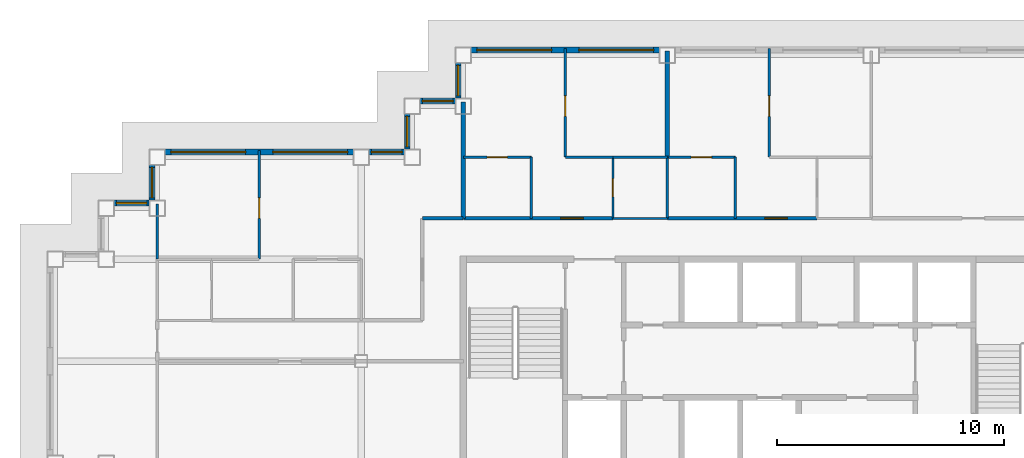
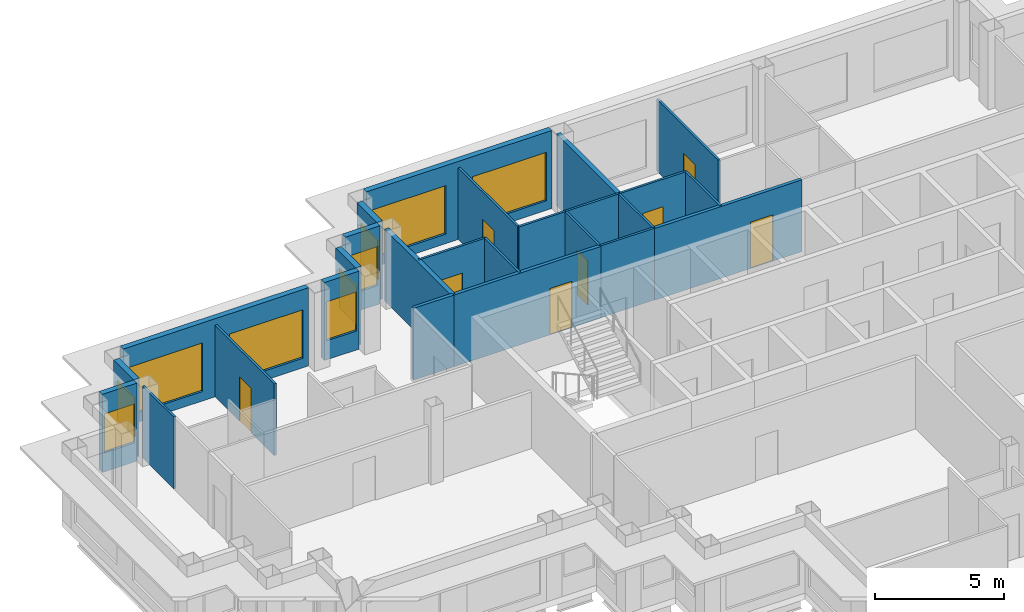
# One storey, part 6 of 11: 26 walls, 10 windows, 8 doors, 18 openings.
"""IFC4 building model written with IfcOpenShell, lengths in metres."""

import ifcopenshell
import ifcopenshell.guid

model = None  # the IFC model being written
_history = None  # IfcOwnerHistory: only IFC2X3 demands one
_inside = {}  # id of a spatial element -> (the spatial element, [elements in it])
_under = {}  # id of a project, library or spatial element -> (it, [spatial elements below it])
_declared = {}  # id of a project -> (the project, [libraries it declares])
_typed = {}  # id of a type object -> (the type object, [elements of that type])
_made_of = {}  # id of a material, layer set ... -> (it, [elements and type objects made of it])


def new_model(schema):
    """Start an empty IFC model of exactly this schema.

    Asked for "IFC4X3", IfcOpenShell would pick the latest addendum, in which some entities
    have other attributes; the version numbers below select the first issue.
    IFC2X3 requires an IfcOwnerHistory on every rooted entity: one is made here for all.
    """
    global model, _history
    if schema == "IFC4X3":
        model = ifcopenshell.file(schema_version=(4, 3, 0, 0))
    else:
        model = ifcopenshell.file(schema=schema)
    _inside.clear()
    _under.clear()
    _declared.clear()
    _typed.clear()
    _made_of.clear()
    _history = None
    if model.schema == "IFC2X3":
        org = make("IfcOrganization", Name="unknown")
        user = make(
            "IfcPersonAndOrganization",
            ThePerson=make("IfcPerson", FamilyName="unknown"),
            TheOrganization=org,
        )
        app = make(
            "IfcApplication",
            ApplicationDeveloper=org,
            Version="unknown",
            ApplicationFullName="unknown",
            ApplicationIdentifier="unknown",
        )
        _history = make(
            "IfcOwnerHistory",
            OwningUser=user,
            OwningApplication=app,
            ChangeAction="ADDED",
            CreationDate=0,
        )
    return model


def make(cls, **values):
    """One entity of the class cls with the attributes given. An attribute that is None is left unset."""
    return model.create_entity(
        cls, **{name: value for name, value in values.items() if value is not None}
    )


def rooted(cls, **values):
    """An entity with a GlobalId (a new one), such as an element, a storey or a relation."""
    return make(cls, GlobalId=ifcopenshell.guid.new(), OwnerHistory=_history, **values)


def si_unit(unit_type, name, prefix=None):
    """IfcSIUnit, for example si_unit("LENGTHUNIT", "METRE", prefix="MILLI")."""
    return make("IfcSIUnit", UnitType=unit_type, Prefix=prefix, Name=name)


def assignment(units):
    """IfcUnitAssignment: the units of a project."""
    return None if units is None else make("IfcUnitAssignment", Units=units)


def point(xyz):
    """IfcCartesianPoint."""
    return None if xyz is None else make("IfcCartesianPoint", Coordinates=xyz)


def direction(xyz):
    """IfcDirection."""
    return None if xyz is None else make("IfcDirection", DirectionRatios=xyz)


def frame(location, z_axis=None, x_axis=None):
    """IfcAxis2Placement3D, a coordinate frame: its origin and axes. An axis left out is left unset."""
    return make(
        "IfcAxis2Placement3D",
        Location=point(location),
        Axis=direction(z_axis),
        RefDirection=direction(x_axis),
    )


def frame_2d(location, x_axis=None):
    """IfcAxis2Placement2D, a coordinate frame in the plane: its origin and x axis."""
    return make(
        "IfcAxis2Placement2D", Location=point(location), RefDirection=direction(x_axis)
    )


def origin():
    """The frame at (0, 0, 0) with its axes left unset."""
    return frame((0.0, 0.0, 0.0))


def place(relative_to, where):
    """IfcLocalPlacement: puts the frame where relative to a parent placement (None: the world)."""
    return make(
        "IfcLocalPlacement", PlacementRelTo=relative_to, RelativePlacement=where
    )


def context(
    kind, dimensions, precision=None, world=None, true_north=None, identifier=None
):
    """IfcGeometricRepresentationContext, for example the 3D "Model" context."""
    return make(
        "IfcGeometricRepresentationContext",
        ContextIdentifier=identifier,
        ContextType=kind,
        CoordinateSpaceDimension=dimensions,
        Precision=precision,
        WorldCoordinateSystem=world,
        TrueNorth=true_north,
    )


def subcontext(parent, identifier, kind, view, scale=None):
    """IfcGeometricRepresentationSubContext, for example "Body" below "Model"."""
    return make(
        "IfcGeometricRepresentationSubContext",
        ContextIdentifier=identifier,
        ContextType=kind,
        ParentContext=parent,
        TargetScale=scale,
        TargetView=view,
    )


def project(units=None, contexts=None):
    """IfcProject with its units and contexts."""
    return rooted(
        "IfcProject",
        Name="project",
        RepresentationContexts=contexts,
        UnitsInContext=assignment(units),
    )


def spatial(cls, under=None, at=None, **own):
    """A site, building, storey or space (cls), placed at a placement, below another one or the project."""
    s = rooted(cls, ObjectPlacement=at, **own)
    if under is not None:
        _under.setdefault(under.id(), (under, []))[1].append(s)
    return s


def profile(cls, at=None, kind="AREA", **sizes):
    """A parametric profile (cls). Its sizes go by their IFC names, for example OverallWidth=200.0."""
    return make(cls, ProfileType=kind, Position=at, **sizes)


def rectangle(**sizes):
    """IfcRectangleProfileDef."""
    return profile("IfcRectangleProfileDef", **sizes)


def extrude(swept, where, along, depth):
    """IfcExtrudedAreaSolid: the profile swept, set in the frame where, extruded along a direction by depth."""
    return make(
        "IfcExtrudedAreaSolid",
        SweptArea=swept,
        Position=where,
        ExtrudedDirection=direction(along),
        Depth=depth,
    )


def shape(context_of_items, identifier, shape_type, items):
    """IfcShapeRepresentation: the items that make up one representation, for example the "Body"."""
    return make(
        "IfcShapeRepresentation",
        ContextOfItems=context_of_items,
        RepresentationIdentifier=identifier,
        RepresentationType=shape_type,
        Items=items,
    )


def material(Name=None, Category=None):
    """IfcMaterial."""
    return make("IfcMaterial", Name=Name, Category=Category)


def layer(
    of_material, thickness, ventilated=None, Name=None, Category=None, Priority=None
):
    """IfcMaterialLayer: one layer of a wall or slab, of a material (None: an air gap)."""
    return make(
        "IfcMaterialLayer",
        Material=of_material,
        LayerThickness=thickness,
        IsVentilated=ventilated,
        Name=Name,
        Category=Category,
        Priority=Priority,
    )


def layer_set(layers, Name=None):
    """IfcMaterialLayerSet."""
    return make("IfcMaterialLayerSet", MaterialLayers=layers, LayerSetName=Name)


def made_of(thing, what):
    """Note that an element or type object is made of a material, layer set ...; save() writes the relation."""
    if what is not None:
        _made_of.setdefault(what.id(), (what, []))[1].append(thing)
    return thing


def type_object(cls, material=None, **own):
    """A type object (cls), such as IfcWallType, which elements share."""
    return made_of(rooted(cls, **own), material)


def element(
    cls,
    number,
    at=None,
    inside=None,
    cuts=None,
    type_object=None,
    material=None,
    context=None,
    identifier="Body",
    shape_type=None,
    held_by="IfcProductDefinitionShape",
    body=None,
    shapes=None,
    **own,
):
    """One element of the class cls, such as IfcWall. Its Tag is "e" and its number.

    at: its placement. inside: the storey or other place that contains it. cuts: it is an
    opening in that element (IfcRelVoidsElement). A single representation is given by context,
    identifier, shape_type and body (its items); several are given by shapes. held_by: the class
    of the entity that holds the representations. save() writes the other relations.
    """
    e = rooted(cls, Tag="e%d" % number, ObjectPlacement=at, **own)
    if body is not None:
        shapes = [shape(context, identifier, shape_type, body)]
    if shapes is not None:
        e.Representation = make(held_by, Representations=shapes)
    if inside is not None:
        _inside.setdefault(inside.id(), (inside, []))[1].append(e)
    if cuts is not None:
        rooted(
            "IfcRelVoidsElement", RelatingBuildingElement=cuts, RelatedOpeningElement=e
        )
    if type_object is not None:
        _typed.setdefault(type_object.id(), (type_object, []))[1].append(e)
    return made_of(e, material)


def fill(opening, filler):
    """IfcRelFillsElement: the door or window that sits in an opening."""
    return rooted(
        "IfcRelFillsElement",
        RelatingOpeningElement=opening,
        RelatedBuildingElement=filler,
    )


def aggregate(whole, parts):
    """IfcRelAggregates: a whole, such as a stair, and the parts it consists of."""
    return rooted("IfcRelAggregates", RelatingObject=whole, RelatedObjects=parts)


def save(model, path):
    """Write the relations noted so far, then the file.

    IfcRelAggregates (storeys below a building ...), IfcRelContainedInSpatialStructure (elements
    in a storey), IfcRelDefinesByType, IfcRelAssociatesMaterial and IfcRelDeclares: one each for
    every whole, place, type object, material and project.
    """
    for whole, parts in _under.values():
        aggregate(whole, parts)
    for where, things in _inside.values():
        rooted(
            "IfcRelContainedInSpatialStructure",
            RelatedElements=things,
            RelatingStructure=where,
        )
    for kind, things in _typed.values():
        rooted("IfcRelDefinesByType", RelatedObjects=things, RelatingType=kind)
    for what, things in _made_of.values():
        rooted("IfcRelAssociatesMaterial", RelatedObjects=things, RelatingMaterial=what)
    for by, libraries in _declared.values():
        rooted("IfcRelDeclares", RelatingContext=by, RelatedDefinitions=libraries)
    model.write(path)


model = new_model("IFC4")

# Units and contexts
model_context = context("Model", 3, precision=1e-05, world=origin(), true_north=direction((0.0, 1.0)))
body_context = subcontext(model_context, "Body", "Model", "MODEL_VIEW")
ifc_project = project(units=[si_unit("LENGTHUNIT", "METRE"), si_unit("AREAUNIT", "SQUARE_METRE"), si_unit("VOLUMEUNIT", "CUBIC_METRE"), si_unit("PLANEANGLEUNIT", "RADIAN"), si_unit("MASSUNIT", "GRAM", prefix="KILO")], contexts=[model_context])

# Site, building, storey
site_placement = place(None, origin())
site = spatial("IfcSite", under=ifc_project, at=site_placement, CompositionType="ELEMENT")
building_placement = place(site_placement, origin())
building = spatial("IfcBuilding", under=site, at=building_placement, Name="Caravel Reach Hotel and Residences", CompositionType="ELEMENT")
storey_placement = place(building_placement, frame((0.0, 0.0, 210.89990234375)))
storey = spatial("IfcBuildingStorey", under=building, at=storey_placement, Name="L53", CompositionType="ELEMENT", Elevation=210.89990234375)

# Walls
ifc_material_1 = material(Name="Gypsum board on steel stud", Category="steel")
ifc_layer_1 = layer(ifc_material_1, 0.10009765625)
ifc_layer_set_1 = layer_set([ifc_layer_1], Name="Bathroom pod wall 100 mm")
wall_type_1 = type_object("IfcWallType", Name="Bathroom pod wall 100 mm", PredefinedType="PARTITIONING", material=ifc_layer_set_1)
for number, where, z_axis, x_axis, name in (
    (1, (24.60009765625, 33.300048828125, 0.0), (0.0, 0.0, 1.0), (1.0, 0.0, 0.0), "L53 wall w068"),
    (2, (24.60009765625, 36.0, 0.0), (0.0, 0.0, 1.0), (1.0, 0.0, 0.0), "L53 wall w070"),
):
    element("IfcWall", number, at=place(storey_placement, frame(where, z_axis=z_axis, x_axis=x_axis)), inside=storey, type_object=wall_type_1, Name=name, PredefinedType="PARTITIONING", context=body_context, shape_type="SweptSolid", body=[
        extrude(rectangle(XDim=2.39990234375, YDim=0.10009765625, at=frame_2d((1.199951171875, 0.0))), origin(), (0.0, 0.0, 1.0), 3.400146484375),
    ])

# Wall, opening, door
wall_1_placement = place(storey_placement, frame((24.60009765625, 33.300048828125, 0.0), z_axis=(0.0, 0.0, 1.0), x_axis=(0.0, 1.0, 0.0)))
wall_1 = element("IfcWall", 3, at=wall_1_placement, inside=storey, type_object=wall_type_1, Name="L53 wall w074", PredefinedType="PARTITIONING", context=body_context, shape_type="SweptSolid", body=[
    extrude(rectangle(XDim=2.699951171875, YDim=0.10009765625, at=frame_2d((1.35009765625, 0.0))), origin(), (0.0, 0.0, 1.0), 3.400146484375),
])
opening_1_placement = place(wall_1_placement, frame((0.949951171875, 0.0, 0.0)))
opening_1 = element("IfcOpeningElement", 4, at=opening_1_placement, cuts=wall_1, Name="Opening D53-018", PredefinedType="OPENING", context=body_context, shape_type="SweptSolid", body=[
    extrude(rectangle(XDim=0.800048828125, YDim=2.10009765625, at=frame_2d((0.39990234375, 1.050048828125))), frame((0.0, 0.06005859375, 0.0), z_axis=(0.0, -1.0, 0.0), x_axis=(1.0, 0.0, 0.0)), (0.0, 0.0, 1.0), 0.1201171875),
])
ifc_material_2 = material(Name="Timber and steel door leaf", Category="steel")
door_type_1 = type_object("IfcDoorType", Name="Bathroom door 800 x 2100", OperationType="SINGLE_SWING_LEFT", PredefinedType="DOOR", material=ifc_material_2)
door_1_placement = place(opening_1_placement, origin())
door_1 = element("IfcDoor", 5, at=door_1_placement, inside=storey, type_object=door_type_1, Name="door D53-018", OperationType="SINGLE_SWING_RIGHT", OverallHeight=2.10009765625, OverallWidth=0.800048828125, PredefinedType="DOOR", context=body_context, shape_type="SweptSolid", body=[
    extrude(rectangle(XDim=0.800048828125, YDim=2.10009765625, at=frame_2d((0.39990234375, 1.050048828125))), frame((0.0, 0.02490234375, 0.0), z_axis=(0.0, -1.0, 0.0), x_axis=(1.0, 0.0, 0.0)), (0.0, 0.0, 1.0), 0.050048828125),
])
fill(opening_1, door_1)

# Wall
wall_2_placement = place(storey_placement, frame((27.0, 33.300048828125, 0.0), z_axis=(0.0, 0.0, 1.0), x_axis=(0.0, 1.0, 0.0)))
element("IfcWall", 6, at=wall_2_placement, inside=storey, type_object=wall_type_1, Name="L53 wall w075", PredefinedType="PARTITIONING", context=body_context, shape_type="SweptSolid", body=[
    extrude(rectangle(XDim=2.699951171875, YDim=0.10009765625, at=frame_2d((1.35009765625, 0.0))), origin(), (0.0, 0.0, 1.0), 3.400146484375),
])

# Wall, opening, door
ifc_material_3 = material(Name="Gypsum board on steel stud, fire-rated", Category="steel")
ifc_layer_2 = layer(ifc_material_3, 0.14990234375)
ifc_layer_set_2 = layer_set([ifc_layer_2], Name="Corridor wall 150 mm EI 60")
wall_type_2 = type_object("IfcWallType", Name="Corridor wall 150 mm EI 60", PredefinedType="PARTITIONING", material=ifc_layer_set_2)
wall_3_placement = place(storey_placement, frame((18.0, 33.300048828125, 0.0), z_axis=(0.0, 0.0, 1.0), x_axis=(1.0, 0.0, 0.0)))
wall_3 = element("IfcWall", 7, at=wall_3_placement, inside=storey, type_object=wall_type_2, Name="L53 wall w011", PredefinedType="PARTITIONING", context=body_context, shape_type="SweptSolid", body=[
    extrude(rectangle(XDim=6.60009765625, YDim=0.14990234375, at=frame_2d((3.300048828125, 0.0))), origin(), (0.0, 0.0, 1.0), 3.400146484375),
])
opening_2_placement = place(wall_3_placement, frame((4.300048828125, 0.0, 0.0)))
opening_2 = element("IfcOpeningElement", 8, at=opening_2_placement, cuts=wall_3, Name="Opening D53-016", PredefinedType="OPENING", context=body_context, shape_type="SweptSolid", body=[
    extrude(rectangle(XDim=1.0, YDim=2.199951171875, at=frame_2d((0.5, 1.10009765625))), frame((0.0, 0.0849609375, 0.0), z_axis=(0.0, -1.0, 0.0), x_axis=(1.0, 0.0, 0.0)), (0.0, 0.0, 1.0), 0.169921875),
])
ifc_material_4 = material(Name="Steel fire door leaf", Category="steel")
door_type_2 = type_object("IfcDoorType", Name="Flat entrance door 1000 x 2200 EI 60", OperationType="SINGLE_SWING_LEFT", PredefinedType="DOOR", material=ifc_material_4)
door_2_placement = place(opening_2_placement, origin())
door_2 = element("IfcDoor", 9, at=door_2_placement, inside=storey, type_object=door_type_2, Name="door D53-016", OperationType="SINGLE_SWING_RIGHT", OverallHeight=2.199951171875, OverallWidth=1.0, PredefinedType="DOOR", context=body_context, shape_type="SweptSolid", body=[
    extrude(rectangle(XDim=1.0, YDim=2.199951171875, at=frame_2d((0.5, 1.10009765625))), frame((0.0, 0.02490234375, 0.0), z_axis=(0.0, -1.0, 0.0), x_axis=(1.0, 0.0, 0.0)), (0.0, 0.0, 1.0), 0.050048828125),
])
fill(opening_2, door_2)

wall_4_placement = place(storey_placement, frame((27.0, 33.300048828125, 0.0), z_axis=(0.0, 0.0, 1.0), x_axis=(1.0, 0.0, 0.0)))
wall_4 = element("IfcWall", 10, at=wall_4_placement, inside=storey, type_object=wall_type_2, Name="L53 wall w013", PredefinedType="PARTITIONING", context=body_context, shape_type="SweptSolid", body=[
    extrude(rectangle(XDim=6.60009765625, YDim=0.14990234375, at=frame_2d((3.300048828125, 0.0))), origin(), (0.0, 0.0, 1.0), 3.400146484375),
])
opening_3_placement = place(wall_4_placement, frame((4.300048828125, 0.0, 0.0)))
opening_3 = element("IfcOpeningElement", 11, at=opening_3_placement, cuts=wall_4, Name="Opening D53-020", PredefinedType="OPENING", context=body_context, shape_type="SweptSolid", body=[
    extrude(rectangle(XDim=1.0, YDim=2.199951171875, at=frame_2d((0.5, 1.10009765625))), frame((0.0, 0.0849609375, 0.0), z_axis=(0.0, -1.0, 0.0), x_axis=(1.0, 0.0, 0.0)), (0.0, 0.0, 1.0), 0.169921875),
])
door_3_placement = place(opening_3_placement, origin())
door_3 = element("IfcDoor", 12, at=door_3_placement, inside=storey, type_object=door_type_2, Name="door D53-020", OperationType="SINGLE_SWING_RIGHT", OverallHeight=2.199951171875, OverallWidth=1.0, PredefinedType="DOOR", context=body_context, shape_type="SweptSolid", body=[
    extrude(rectangle(XDim=1.0, YDim=2.199951171875, at=frame_2d((0.5, 1.10009765625))), frame((0.0, 0.02490234375, 0.0), z_axis=(0.0, -1.0, 0.0), x_axis=(1.0, 0.0, 0.0)), (0.0, 0.0, 1.0), 0.050048828125),
])
fill(opening_3, door_3)

# Wall
wall_5_placement = place(storey_placement, frame((16.199951171875, 33.300048828125, 0.0), z_axis=(0.0, 0.0, 1.0), x_axis=(1.0, 0.0, 0.0)))
element("IfcWall", 13, at=wall_5_placement, inside=storey, type_object=wall_type_2, Name="L53 wall w015", PredefinedType="PARTITIONING", context=body_context, shape_type="SweptSolid", body=[
    extrude(rectangle(XDim=1.799072265625, YDim=0.14990234375, at=frame_2d((0.8994140625, 0.0))), origin(), (0.0, 0.0, 1.0), 3.400146484375),
])

# Wall, openings, windows
ifc_material_5 = material(Name="Insulated rainscreen wall, aluminium cladding", Category="aluminium")
ifc_layer_3 = layer(ifc_material_5, 0.25)
ifc_layer_set_3 = layer_set([ifc_layer_3], Name="EW1 Tower rainscreen wall")
wall_type_3 = type_object("IfcWallType", Name="EW1 Tower rainscreen wall", PredefinedType="SOLIDWALL", material=ifc_layer_set_3)
wall_6_placement = place(storey_placement, frame((26.64990234375, 40.72509765625, 0.0), z_axis=(0.0, 0.0, 1.0), x_axis=(-1.0, 0.0, 0.0)))
wall_6 = element("IfcWall", 14, at=wall_6_placement, inside=storey, type_object=wall_type_3, Name="External wall L53 N11.3", PredefinedType="SOLIDWALL", context=body_context, shape_type="SweptSolid", body=[
    extrude(rectangle(XDim=8.2998046875, YDim=0.25, at=frame_2d((4.14990234375, 0.0))), origin(), (0.0, 0.0, 1.0), 3.7001953125),
])
opening_4_placement = place(wall_6_placement, frame((0.25, 0.0, 0.449951171875)))
opening_4 = element("IfcOpeningElement", 15, at=opening_4_placement, cuts=wall_6, Name="Opening WN15", PredefinedType="OPENING", context=body_context, shape_type="SweptSolid", body=[
    extrude(rectangle(XDim=3.300048828125, YDim=2.300048828125, at=frame_2d((1.64990234375, 1.14990234375))), frame((0.0, 0.135009765625, 0.0), z_axis=(0.0, -1.0, 0.0), x_axis=(1.0, 0.0, 0.0)), (0.0, 0.0, 1.0), 0.27001953125),
])
opening_5_placement = place(wall_6_placement, frame((4.75, 0.0, 0.449951171875)))
opening_5 = element("IfcOpeningElement", 16, at=opening_5_placement, cuts=wall_6, Name="Opening WN15", PredefinedType="OPENING", context=body_context, shape_type="SweptSolid", body=[
    extrude(rectangle(XDim=3.300048828125, YDim=2.300048828125, at=frame_2d((1.64990234375, 1.14990234375))), frame((0.0, 0.135009765625, 0.0), z_axis=(0.0, -1.0, 0.0), x_axis=(1.0, 0.0, 0.0)), (0.0, 0.0, 1.0), 0.27001953125),
])
ifc_material_6 = material(Name="Dark low-e glazing in black aluminium frame", Category="aluminium")
window_type_1 = type_object("IfcWindowType", Name="Residence living window 3300 x 2300", PartitioningType="SINGLE_PANEL", PredefinedType="WINDOW", material=ifc_material_6)
window_1_placement = place(opening_4_placement, origin())
window_1 = element("IfcWindow", 17, at=window_1_placement, inside=storey, type_object=window_type_1, Name="Window L53 N11.3.1", OverallHeight=2.300048828125, OverallWidth=3.300048828125, PartitioningType="SINGLE_PANEL", PredefinedType="WINDOW", context=body_context, shape_type="SweptSolid", body=[
    extrude(rectangle(XDim=3.300048828125, YDim=2.300048828125, at=frame_2d((1.64990234375, 1.14990234375))), frame((0.0, 0.030029296875, 0.0), z_axis=(0.0, -1.0, 0.0), x_axis=(1.0, 0.0, 0.0)), (0.0, 0.0, 1.0), 0.06005859375),
])
fill(opening_4, window_1)
window_2_placement = place(opening_5_placement, origin())
window_2 = element("IfcWindow", 18, at=window_2_placement, inside=storey, type_object=window_type_1, Name="Window L53 N11.3.2", OverallHeight=2.300048828125, OverallWidth=3.300048828125, PartitioningType="SINGLE_PANEL", PredefinedType="WINDOW", context=body_context, shape_type="SweptSolid", body=[
    extrude(rectangle(XDim=3.300048828125, YDim=2.300048828125, at=frame_2d((1.64990234375, 1.14990234375))), frame((0.0, 0.030029296875, 0.0), z_axis=(0.0, -1.0, 0.0), x_axis=(1.0, 0.0, 0.0)), (0.0, 0.0, 1.0), 0.06005859375),
])
fill(opening_5, window_2)

# Wall, opening, window
wall_7_placement = place(storey_placement, frame((17.77490234375, 40.14990234375, 0.0), z_axis=(0.0, 0.0, 1.0), x_axis=(0.0, -1.0, 0.0)))
wall_7 = element("IfcWall", 19, at=wall_7_placement, inside=storey, type_object=wall_type_3, Name="External wall L53 W12.1", PredefinedType="SOLIDWALL", context=body_context, shape_type="SweptSolid", body=[
    extrude(rectangle(XDim=1.5498046875, YDim=0.25, at=frame_2d((0.77490234375, 0.0))), origin(), (0.0, 0.0, 1.0), 3.7001953125),
])
opening_6_placement = place(wall_7_placement, frame((0.10009765625, 0.0, 0.89990234375)))
opening_6 = element("IfcOpeningElement", 20, at=opening_6_placement, cuts=wall_7, Name="Opening WN21", PredefinedType="OPENING", context=body_context, shape_type="SweptSolid", body=[
    extrude(rectangle(XDim=1.35009765625, YDim=1.85009765625, at=frame_2d((0.675048828125, 0.925048828125))), frame((0.0, 0.135009765625, 0.0), z_axis=(0.0, -1.0, 0.0), x_axis=(1.0, 0.0, 0.0)), (0.0, 0.0, 1.0), 0.27001953125),
])
ifc_material_7 = material(Name="Dark low-e glazing in black aluminium frame", Category="aluminium")
window_type_2 = type_object("IfcWindowType", Name="Residence bedroom window 1350 x 1850", PartitioningType="SINGLE_PANEL", PredefinedType="WINDOW", material=ifc_material_7)
window_3_placement = place(opening_6_placement, origin())
window_3 = element("IfcWindow", 21, at=window_3_placement, inside=storey, type_object=window_type_2, Name="Window L53 W12.1.1", OverallHeight=1.85009765625, OverallWidth=1.35009765625, PartitioningType="SINGLE_PANEL", PredefinedType="WINDOW", context=body_context, shape_type="SweptSolid", body=[
    extrude(rectangle(XDim=1.35009765625, YDim=1.85009765625, at=frame_2d((0.675048828125, 0.925048828125))), frame((0.0, 0.030029296875, 0.0), z_axis=(0.0, -1.0, 0.0), x_axis=(1.0, 0.0, 0.0)), (0.0, 0.0, 1.0), 0.06005859375),
])
fill(opening_6, window_3)

wall_8_placement = place(storey_placement, frame((17.64990234375, 38.47509765625, 0.0), z_axis=(0.0, 0.0, 1.0), x_axis=(-1.0, 0.0, 0.0)))
wall_8 = element("IfcWall", 22, at=wall_8_placement, inside=storey, type_object=wall_type_3, Name="External wall L53 N13.1", PredefinedType="SOLIDWALL", context=body_context, shape_type="SweptSolid", body=[
    extrude(rectangle(XDim=1.5498046875, YDim=0.25, at=frame_2d((0.77490234375, 0.0))), origin(), (0.0, 0.0, 1.0), 3.7001953125),
])
opening_7_placement = place(wall_8_placement, frame((0.10009765625, 0.0, 0.89990234375)))
opening_7 = element("IfcOpeningElement", 23, at=opening_7_placement, cuts=wall_8, Name="Opening WN21", PredefinedType="OPENING", context=body_context, shape_type="SweptSolid", body=[
    extrude(rectangle(XDim=1.35009765625, YDim=1.85009765625, at=frame_2d((0.675048828125, 0.925048828125))), frame((0.0, 0.135009765625, 0.0), z_axis=(0.0, -1.0, 0.0), x_axis=(1.0, 0.0, 0.0)), (0.0, 0.0, 1.0), 0.27001953125),
])
window_4_placement = place(opening_7_placement, origin())
window_4 = element("IfcWindow", 24, at=window_4_placement, inside=storey, type_object=window_type_2, Name="Window L53 N13.1.1", OverallHeight=1.85009765625, OverallWidth=1.35009765625, PartitioningType="SINGLE_PANEL", PredefinedType="WINDOW", context=body_context, shape_type="SweptSolid", body=[
    extrude(rectangle(XDim=1.35009765625, YDim=1.85009765625, at=frame_2d((0.675048828125, 0.925048828125))), frame((0.0, 0.030029296875, 0.0), z_axis=(0.0, -1.0, 0.0), x_axis=(1.0, 0.0, 0.0)), (0.0, 0.0, 1.0), 0.06005859375),
])
fill(opening_7, window_4)

wall_9_placement = place(storey_placement, frame((15.52490234375, 37.89990234375, 0.0), z_axis=(0.0, 0.0, 1.0), x_axis=(0.0, -1.0, 0.0)))
wall_9 = element("IfcWall", 25, at=wall_9_placement, inside=storey, type_object=wall_type_3, Name="External wall L53 W14.1", PredefinedType="SOLIDWALL", context=body_context, shape_type="SweptSolid", body=[
    extrude(rectangle(XDim=1.5498046875, YDim=0.25, at=frame_2d((0.77490234375, 0.0))), origin(), (0.0, 0.0, 1.0), 3.7001953125),
])
opening_8_placement = place(wall_9_placement, frame((0.10009765625, 0.0, 0.89990234375)))
opening_8 = element("IfcOpeningElement", 26, at=opening_8_placement, cuts=wall_9, Name="Opening WN21", PredefinedType="OPENING", context=body_context, shape_type="SweptSolid", body=[
    extrude(rectangle(XDim=1.35009765625, YDim=1.85009765625, at=frame_2d((0.675048828125, 0.925048828125))), frame((0.0, 0.135009765625, 0.0), z_axis=(0.0, -1.0, 0.0), x_axis=(1.0, 0.0, 0.0)), (0.0, 0.0, 1.0), 0.27001953125),
])
window_5_placement = place(opening_8_placement, origin())
window_5 = element("IfcWindow", 27, at=window_5_placement, inside=storey, type_object=window_type_2, Name="Window L53 W14.1.1", OverallHeight=1.85009765625, OverallWidth=1.35009765625, PartitioningType="SINGLE_PANEL", PredefinedType="WINDOW", context=body_context, shape_type="SweptSolid", body=[
    extrude(rectangle(XDim=1.35009765625, YDim=1.85009765625, at=frame_2d((0.675048828125, 0.925048828125))), frame((0.0, 0.030029296875, 0.0), z_axis=(0.0, -1.0, 0.0), x_axis=(1.0, 0.0, 0.0)), (0.0, 0.0, 1.0), 0.06005859375),
])
fill(opening_8, window_5)

wall_10_placement = place(storey_placement, frame((15.39990234375, 36.22509765625, 0.0), z_axis=(0.0, 0.0, 1.0), x_axis=(-1.0, 0.0, 0.0)))
wall_10 = element("IfcWall", 28, at=wall_10_placement, inside=storey, type_object=wall_type_3, Name="External wall L53 N15.1", PredefinedType="SOLIDWALL", context=body_context, shape_type="SweptSolid", body=[
    extrude(rectangle(XDim=1.5498046875, YDim=0.25, at=frame_2d((0.77490234375, 0.0))), origin(), (0.0, 0.0, 1.0), 3.7001953125),
])
opening_9_placement = place(wall_10_placement, frame((0.10009765625, 0.0, 0.89990234375)))
opening_9 = element("IfcOpeningElement", 29, at=opening_9_placement, cuts=wall_10, Name="Opening WN21", PredefinedType="OPENING", context=body_context, shape_type="SweptSolid", body=[
    extrude(rectangle(XDim=1.35009765625, YDim=1.85009765625, at=frame_2d((0.675048828125, 0.925048828125))), frame((0.0, 0.135009765625, 0.0), z_axis=(0.0, -1.0, 0.0), x_axis=(1.0, 0.0, 0.0)), (0.0, 0.0, 1.0), 0.27001953125),
])
window_6_placement = place(opening_9_placement, origin())
window_6 = element("IfcWindow", 30, at=window_6_placement, inside=storey, type_object=window_type_2, Name="Window L53 N15.1.1", OverallHeight=1.85009765625, OverallWidth=1.35009765625, PartitioningType="SINGLE_PANEL", PredefinedType="WINDOW", context=body_context, shape_type="SweptSolid", body=[
    extrude(rectangle(XDim=1.35009765625, YDim=1.85009765625, at=frame_2d((0.675048828125, 0.925048828125))), frame((0.0, 0.030029296875, 0.0), z_axis=(0.0, -1.0, 0.0), x_axis=(1.0, 0.0, 0.0)), (0.0, 0.0, 1.0), 0.06005859375),
])
fill(opening_9, window_6)

# Wall, openings, windows
wall_11_placement = place(storey_placement, frame((13.14990234375, 36.22509765625, 0.0), z_axis=(0.0, 0.0, 1.0), x_axis=(-1.0, 0.0, 0.0)))
wall_11 = element("IfcWall", 31, at=wall_11_placement, inside=storey, type_object=wall_type_3, Name="External wall L53 N15.2", PredefinedType="SOLIDWALL", context=body_context, shape_type="SweptSolid", body=[
    extrude(rectangle(XDim=8.2998046875, YDim=0.25, at=frame_2d((4.14990234375, 0.0))), origin(), (0.0, 0.0, 1.0), 3.7001953125),
])
opening_10_placement = place(wall_11_placement, frame((0.25, 0.0, 0.449951171875)))
opening_10 = element("IfcOpeningElement", 32, at=opening_10_placement, cuts=wall_11, Name="Opening WN15", PredefinedType="OPENING", context=body_context, shape_type="SweptSolid", body=[
    extrude(rectangle(XDim=3.300048828125, YDim=2.300048828125, at=frame_2d((1.64990234375, 1.14990234375))), frame((0.0, 0.135009765625, 0.0), z_axis=(0.0, -1.0, 0.0), x_axis=(1.0, 0.0, 0.0)), (0.0, 0.0, 1.0), 0.27001953125),
])
opening_11_placement = place(wall_11_placement, frame((4.75, 0.0, 0.449951171875)))
opening_11 = element("IfcOpeningElement", 33, at=opening_11_placement, cuts=wall_11, Name="Opening WN15", PredefinedType="OPENING", context=body_context, shape_type="SweptSolid", body=[
    extrude(rectangle(XDim=3.300048828125, YDim=2.300048828125, at=frame_2d((1.64990234375, 1.14990234375))), frame((0.0, 0.135009765625, 0.0), z_axis=(0.0, -1.0, 0.0), x_axis=(1.0, 0.0, 0.0)), (0.0, 0.0, 1.0), 0.27001953125),
])
window_7_placement = place(opening_10_placement, origin())
window_7 = element("IfcWindow", 34, at=window_7_placement, inside=storey, type_object=window_type_1, Name="Window L53 N15.2.1", OverallHeight=2.300048828125, OverallWidth=3.300048828125, PartitioningType="SINGLE_PANEL", PredefinedType="WINDOW", context=body_context, shape_type="SweptSolid", body=[
    extrude(rectangle(XDim=3.300048828125, YDim=2.300048828125, at=frame_2d((1.64990234375, 1.14990234375))), frame((0.0, 0.030029296875, 0.0), z_axis=(0.0, -1.0, 0.0), x_axis=(1.0, 0.0, 0.0)), (0.0, 0.0, 1.0), 0.06005859375),
])
fill(opening_10, window_7)
window_8_placement = place(opening_11_placement, origin())
window_8 = element("IfcWindow", 35, at=window_8_placement, inside=storey, type_object=window_type_1, Name="Window L53 N15.2.2", OverallHeight=2.300048828125, OverallWidth=3.300048828125, PartitioningType="SINGLE_PANEL", PredefinedType="WINDOW", context=body_context, shape_type="SweptSolid", body=[
    extrude(rectangle(XDim=3.300048828125, YDim=2.300048828125, at=frame_2d((1.64990234375, 1.14990234375))), frame((0.0, 0.030029296875, 0.0), z_axis=(0.0, -1.0, 0.0), x_axis=(1.0, 0.0, 0.0)), (0.0, 0.0, 1.0), 0.06005859375),
])
fill(opening_11, window_8)

# Wall, opening, window
wall_12_placement = place(storey_placement, frame((4.27490234375, 35.64990234375, 0.0), z_axis=(0.0, 0.0, 1.0), x_axis=(0.0, -1.0, 0.0)))
wall_12 = element("IfcWall", 36, at=wall_12_placement, inside=storey, type_object=wall_type_3, Name="External wall L53 W16.1", PredefinedType="SOLIDWALL", context=body_context, shape_type="SweptSolid", body=[
    extrude(rectangle(XDim=1.5498046875, YDim=0.25, at=frame_2d((0.77490234375, 0.0))), origin(), (0.0, 0.0, 1.0), 3.7001953125),
])
opening_12_placement = place(wall_12_placement, frame((0.10009765625, 0.0, 0.89990234375)))
opening_12 = element("IfcOpeningElement", 37, at=opening_12_placement, cuts=wall_12, Name="Opening WN21", PredefinedType="OPENING", context=body_context, shape_type="SweptSolid", body=[
    extrude(rectangle(XDim=1.35009765625, YDim=1.85009765625, at=frame_2d((0.675048828125, 0.925048828125))), frame((0.0, 0.135009765625, 0.0), z_axis=(0.0, -1.0, 0.0), x_axis=(1.0, 0.0, 0.0)), (0.0, 0.0, 1.0), 0.27001953125),
])
window_9_placement = place(opening_12_placement, origin())
window_9 = element("IfcWindow", 38, at=window_9_placement, inside=storey, type_object=window_type_2, Name="Window L53 W16.1.1", OverallHeight=1.85009765625, OverallWidth=1.35009765625, PartitioningType="SINGLE_PANEL", PredefinedType="WINDOW", context=body_context, shape_type="SweptSolid", body=[
    extrude(rectangle(XDim=1.35009765625, YDim=1.85009765625, at=frame_2d((0.675048828125, 0.925048828125))), frame((0.0, 0.030029296875, 0.0), z_axis=(0.0, -1.0, 0.0), x_axis=(1.0, 0.0, 0.0)), (0.0, 0.0, 1.0), 0.06005859375),
])
fill(opening_12, window_9)

wall_13_placement = place(storey_placement, frame((4.14990234375, 33.97509765625, 0.0), z_axis=(0.0, 0.0, 1.0), x_axis=(-1.0, 0.0, 0.0)))
wall_13 = element("IfcWall", 39, at=wall_13_placement, inside=storey, type_object=wall_type_3, Name="External wall L53 N17.1", PredefinedType="SOLIDWALL", context=body_context, shape_type="SweptSolid", body=[
    extrude(rectangle(XDim=1.5498046875, YDim=0.25, at=frame_2d((0.77490234375, 0.0))), origin(), (0.0, 0.0, 1.0), 3.7001953125),
])
opening_13_placement = place(wall_13_placement, frame((0.10009765625, 0.0, 0.89990234375)))
opening_13 = element("IfcOpeningElement", 40, at=opening_13_placement, cuts=wall_13, Name="Opening WN21", PredefinedType="OPENING", context=body_context, shape_type="SweptSolid", body=[
    extrude(rectangle(XDim=1.35009765625, YDim=1.85009765625, at=frame_2d((0.675048828125, 0.925048828125))), frame((0.0, 0.135009765625, 0.0), z_axis=(0.0, -1.0, 0.0), x_axis=(1.0, 0.0, 0.0)), (0.0, 0.0, 1.0), 0.27001953125),
])
window_10_placement = place(opening_13_placement, origin())
window_10 = element("IfcWindow", 41, at=window_10_placement, inside=storey, type_object=window_type_2, Name="Window L53 N17.1.1", OverallHeight=1.85009765625, OverallWidth=1.35009765625, PartitioningType="SINGLE_PANEL", PredefinedType="WINDOW", context=body_context, shape_type="SweptSolid", body=[
    extrude(rectangle(XDim=1.35009765625, YDim=1.85009765625, at=frame_2d((0.675048828125, 0.925048828125))), frame((0.0, 0.030029296875, 0.0), z_axis=(0.0, -1.0, 0.0), x_axis=(1.0, 0.0, 0.0)), (0.0, 0.0, 1.0), 0.06005859375),
])
fill(opening_13, window_10)

# Wall
ifc_material_8 = material(Name="Gypsum board on steel stud", Category="steel")
ifc_layer_4 = layer(ifc_material_8, 0.10009765625)
ifc_layer_set_4 = layer_set([ifc_layer_4], Name="Partition 100 mm")
wall_type_4 = type_object("IfcWallType", Name="Partition 100 mm", PredefinedType="PARTITIONING", material=ifc_layer_set_4)
wall_14_placement = place(storey_placement, frame((22.5, 36.0, 0.0), z_axis=(0.0, 0.0, 1.0), x_axis=(1.0, 0.0, 0.0)))
element("IfcWall", 42, at=wall_14_placement, inside=storey, type_object=wall_type_4, Name="L53 wall w034", PredefinedType="PARTITIONING", context=body_context, shape_type="SweptSolid", body=[
    extrude(rectangle(XDim=2.10009765625, YDim=0.10009765625, at=frame_2d((1.050048828125, 0.0))), origin(), (0.0, 0.0, 1.0), 3.400146484375),
])

# Wall, opening, door
wall_15_placement = place(storey_placement, frame((18.0, 36.0, 0.0), z_axis=(0.0, 0.0, 1.0), x_axis=(1.0, 0.0, 0.0)))
wall_15 = element("IfcWall", 43, at=wall_15_placement, inside=storey, type_object=wall_type_4, Name="L53 wall w035", PredefinedType="PARTITIONING", context=body_context, shape_type="SweptSolid", body=[
    extrude(rectangle(XDim=3.0, YDim=0.10009765625, at=frame_2d((1.5, 0.0))), origin(), (0.0, 0.0, 1.0), 3.400146484375),
])
opening_14_placement = place(wall_15_placement, frame((1.050048828125, 0.0, 0.0)))
opening_14 = element("IfcOpeningElement", 44, at=opening_14_placement, cuts=wall_15, Name="Opening D53-017", PredefinedType="OPENING", context=body_context, shape_type="SweptSolid", body=[
    extrude(rectangle(XDim=0.89990234375, YDim=2.10009765625, at=frame_2d((0.449951171875, 1.050048828125))), frame((0.0, 0.06005859375, 0.0), z_axis=(0.0, -1.0, 0.0), x_axis=(1.0, 0.0, 0.0)), (0.0, 0.0, 1.0), 0.1201171875),
])
ifc_material_9 = material(Name="Timber and steel door leaf", Category="steel")
door_type_3 = type_object("IfcDoorType", Name="Door 900 x 2100 timber", OperationType="SINGLE_SWING_LEFT", PredefinedType="DOOR", material=ifc_material_9)
door_4_placement = place(opening_14_placement, origin())
door_4 = element("IfcDoor", 45, at=door_4_placement, inside=storey, type_object=door_type_3, Name="door D53-017", OperationType="SINGLE_SWING_RIGHT", OverallHeight=2.10009765625, OverallWidth=0.89990234375, PredefinedType="DOOR", context=body_context, shape_type="SweptSolid", body=[
    extrude(rectangle(XDim=0.89990234375, YDim=2.10009765625, at=frame_2d((0.449951171875, 1.050048828125))), frame((0.0, 0.02490234375, 0.0), z_axis=(0.0, -1.0, 0.0), x_axis=(1.0, 0.0, 0.0)), (0.0, 0.0, 1.0), 0.050048828125),
])
fill(opening_14, door_4)

wall_16_placement = place(storey_placement, frame((27.0, 36.0, 0.0), z_axis=(0.0, 0.0, 1.0), x_axis=(1.0, 0.0, 0.0)))
wall_16 = element("IfcWall", 46, at=wall_16_placement, inside=storey, type_object=wall_type_4, Name="L53 wall w037", PredefinedType="PARTITIONING", context=body_context, shape_type="SweptSolid", body=[
    extrude(rectangle(XDim=3.0, YDim=0.10009765625, at=frame_2d((1.5, 0.0))), origin(), (0.0, 0.0, 1.0), 3.400146484375),
])
opening_15_placement = place(wall_16_placement, frame((1.050048828125, 0.0, 0.0)))
opening_15 = element("IfcOpeningElement", 47, at=opening_15_placement, cuts=wall_16, Name="Opening D53-021", PredefinedType="OPENING", context=body_context, shape_type="SweptSolid", body=[
    extrude(rectangle(XDim=0.89990234375, YDim=2.10009765625, at=frame_2d((0.449951171875, 1.050048828125))), frame((0.0, 0.06005859375, 0.0), z_axis=(0.0, -1.0, 0.0), x_axis=(1.0, 0.0, 0.0)), (0.0, 0.0, 1.0), 0.1201171875),
])
door_5_placement = place(opening_15_placement, origin())
door_5 = element("IfcDoor", 48, at=door_5_placement, inside=storey, type_object=door_type_3, Name="door D53-021", OperationType="SINGLE_SWING_RIGHT", OverallHeight=2.10009765625, OverallWidth=0.89990234375, PredefinedType="DOOR", context=body_context, shape_type="SweptSolid", body=[
    extrude(rectangle(XDim=0.89990234375, YDim=2.10009765625, at=frame_2d((0.449951171875, 1.050048828125))), frame((0.0, 0.02490234375, 0.0), z_axis=(0.0, -1.0, 0.0), x_axis=(1.0, 0.0, 0.0)), (0.0, 0.0, 1.0), 0.050048828125),
])
fill(opening_15, door_5)

# Wall
wall_17_placement = place(storey_placement, frame((21.0, 33.300048828125, 0.0), z_axis=(0.0, 0.0, 1.0), x_axis=(0.0, 1.0, 0.0)))
element("IfcWall", 49, at=wall_17_placement, inside=storey, type_object=wall_type_4, Name="L53 wall w048", PredefinedType="PARTITIONING", context=body_context, shape_type="SweptSolid", body=[
    extrude(rectangle(XDim=2.699951171875, YDim=0.10009765625, at=frame_2d((1.35009765625, 0.0))), origin(), (0.0, 0.0, 1.0), 3.400146484375),
])

# Wall, opening, door
wall_18_placement = place(storey_placement, frame((22.5, 36.0, 0.0), z_axis=(0.0, 0.0, 1.0), x_axis=(0.0, 1.0, 0.0)))
wall_18 = element("IfcWall", 50, at=wall_18_placement, inside=storey, type_object=wall_type_4, Name="L53 wall w049", PredefinedType="PARTITIONING", context=body_context, shape_type="SweptSolid", body=[
    extrude(rectangle(XDim=4.7900390625, YDim=0.10009765625, at=frame_2d((2.39501953125, 0.0))), origin(), (0.0, 0.0, 1.0), 3.400146484375),
])
opening_16_placement = place(wall_18_placement, frame((1.800048828125, 0.0, 0.0)))
opening_16 = element("IfcOpeningElement", 51, at=opening_16_placement, cuts=wall_18, Name="Opening D53-019", PredefinedType="OPENING", context=body_context, shape_type="SweptSolid", body=[
    extrude(rectangle(XDim=0.89990234375, YDim=2.10009765625, at=frame_2d((0.449951171875, 1.050048828125))), frame((0.0, 0.06005859375, 0.0), z_axis=(0.0, -1.0, 0.0), x_axis=(1.0, 0.0, 0.0)), (0.0, 0.0, 1.0), 0.1201171875),
])
door_6_placement = place(opening_16_placement, origin())
door_6 = element("IfcDoor", 52, at=door_6_placement, inside=storey, type_object=door_type_3, Name="door D53-019", OperationType="SINGLE_SWING_LEFT", OverallHeight=2.10009765625, OverallWidth=0.89990234375, PredefinedType="DOOR", context=body_context, shape_type="SweptSolid", body=[
    extrude(rectangle(XDim=0.89990234375, YDim=2.10009765625, at=frame_2d((0.449951171875, 1.050048828125))), frame((0.0, 0.02490234375, 0.0), z_axis=(0.0, -1.0, 0.0), x_axis=(1.0, 0.0, 0.0)), (0.0, 0.0, 1.0), 0.050048828125),
])
fill(opening_16, door_6)

# Wall
wall_19_placement = place(storey_placement, frame((30.0, 33.300048828125, 0.0), z_axis=(0.0, 0.0, 1.0), x_axis=(0.0, 1.0, 0.0)))
element("IfcWall", 53, at=wall_19_placement, inside=storey, type_object=wall_type_4, Name="L53 wall w052", PredefinedType="PARTITIONING", context=body_context, shape_type="SweptSolid", body=[
    extrude(rectangle(XDim=2.699951171875, YDim=0.10009765625, at=frame_2d((1.35009765625, 0.0))), origin(), (0.0, 0.0, 1.0), 3.400146484375),
])

# Wall, opening, door
wall_20_placement = place(storey_placement, frame((31.5, 36.0, 0.0), z_axis=(0.0, 0.0, 1.0), x_axis=(0.0, 1.0, 0.0)))
wall_20 = element("IfcWall", 54, at=wall_20_placement, inside=storey, type_object=wall_type_4, Name="L53 wall w053", PredefinedType="PARTITIONING", context=body_context, shape_type="SweptSolid", body=[
    extrude(rectangle(XDim=4.7900390625, YDim=0.10009765625, at=frame_2d((2.39501953125, 0.0))), origin(), (0.0, 0.0, 1.0), 3.400146484375),
])
opening_17_placement = place(wall_20_placement, frame((1.800048828125, 0.0, 0.0)))
opening_17 = element("IfcOpeningElement", 55, at=opening_17_placement, cuts=wall_20, Name="Opening D53-023", PredefinedType="OPENING", context=body_context, shape_type="SweptSolid", body=[
    extrude(rectangle(XDim=0.89990234375, YDim=2.10009765625, at=frame_2d((0.449951171875, 1.050048828125))), frame((0.0, 0.06005859375, 0.0), z_axis=(0.0, -1.0, 0.0), x_axis=(1.0, 0.0, 0.0)), (0.0, 0.0, 1.0), 0.1201171875),
])
door_7_placement = place(opening_17_placement, origin())
door_7 = element("IfcDoor", 56, at=door_7_placement, inside=storey, type_object=door_type_3, Name="door D53-023", OperationType="SINGLE_SWING_RIGHT", OverallHeight=2.10009765625, OverallWidth=0.89990234375, PredefinedType="DOOR", context=body_context, shape_type="SweptSolid", body=[
    extrude(rectangle(XDim=0.89990234375, YDim=2.10009765625, at=frame_2d((0.449951171875, 1.050048828125))), frame((0.0, 0.02490234375, 0.0), z_axis=(0.0, -1.0, 0.0), x_axis=(1.0, 0.0, 0.0)), (0.0, 0.0, 1.0), 0.050048828125),
])
fill(opening_17, door_7)

# Wall
wall_21_placement = place(storey_placement, frame((4.5, 31.5009765625, 0.0), z_axis=(0.0, 0.0, 1.0), x_axis=(0.0, 1.0, 0.0)))
element("IfcWall", 57, at=wall_21_placement, inside=storey, type_object=wall_type_4, Name="L53 wall w057", PredefinedType="PARTITIONING", context=body_context, shape_type="SweptSolid", body=[
    extrude(rectangle(XDim=2.43896484375, YDim=0.10009765625, at=frame_2d((1.219482421875, 0.0))), origin(), (0.0, 0.0, 1.0), 3.400146484375),
])

# Wall, opening, door
wall_22_placement = place(storey_placement, frame((9.0, 31.5, 0.0), z_axis=(0.0, 0.0, 1.0), x_axis=(0.0, 1.0, 0.0)))
wall_22 = element("IfcWall", 58, at=wall_22_placement, inside=storey, type_object=wall_type_4, Name="L53 wall w060", PredefinedType="PARTITIONING", context=body_context, shape_type="SweptSolid", body=[
    extrude(rectangle(XDim=4.7900390625, YDim=0.10009765625, at=frame_2d((2.39501953125, 0.0))), origin(), (0.0, 0.0, 1.0), 3.400146484375),
])
opening_18_placement = place(wall_22_placement, frame((1.800048828125, 0.0, 0.0)))
opening_18 = element("IfcOpeningElement", 59, at=opening_18_placement, cuts=wall_22, Name="Opening D53-028", PredefinedType="OPENING", context=body_context, shape_type="SweptSolid", body=[
    extrude(rectangle(XDim=0.89990234375, YDim=2.10009765625, at=frame_2d((0.449951171875, 1.050048828125))), frame((0.0, 0.06005859375, 0.0), z_axis=(0.0, -1.0, 0.0), x_axis=(1.0, 0.0, 0.0)), (0.0, 0.0, 1.0), 0.1201171875),
])
door_8_placement = place(opening_18_placement, origin())
door_8 = element("IfcDoor", 60, at=door_8_placement, inside=storey, type_object=door_type_3, Name="door D53-028", OperationType="SINGLE_SWING_RIGHT", OverallHeight=2.10009765625, OverallWidth=0.89990234375, PredefinedType="DOOR", context=body_context, shape_type="SweptSolid", body=[
    extrude(rectangle(XDim=0.89990234375, YDim=2.10009765625, at=frame_2d((0.449951171875, 1.050048828125))), frame((0.0, 0.02490234375, 0.0), z_axis=(0.0, -1.0, 0.0), x_axis=(1.0, 0.0, 0.0)), (0.0, 0.0, 1.0), 0.050048828125),
])
fill(opening_18, door_8)

# Walls
ifc_material_10 = material(Name="Autoclaved aerated block wall")
ifc_layer_5 = layer(ifc_material_10, 0.199951171875)
ifc_layer_set_5 = layer_set([ifc_layer_5], Name="Party wall 200 mm EI 60")
wall_type_5 = type_object("IfcWallType", Name="Party wall 200 mm EI 60", PredefinedType="PARTITIONING", material=ifc_layer_set_5)
wall_23_placement = place(storey_placement, frame((18.0, 33.301025390625, 0.0), z_axis=(0.0, 0.0, 1.0), x_axis=(0.0, 1.0, 0.0)))
element("IfcWall", 61, at=wall_23_placement, inside=storey, type_object=wall_type_5, Name="L53 wall w062", PredefinedType="PARTITIONING", context=body_context, shape_type="SweptSolid", body=[
    extrude(rectangle(XDim=5.138916015625, YDim=0.199951171875, at=frame_2d((2.5693359375, 0.0))), origin(), (0.0, 0.0, 1.0), 3.400146484375),
])
wall_24_placement = place(storey_placement, frame((27.0, 36.0, 0.0), z_axis=(0.0, 0.0, 1.0), x_axis=(0.0, 1.0, 0.0)))
element("IfcWall", 62, at=wall_24_placement, inside=storey, type_object=wall_type_5, Name="L53 wall w063", PredefinedType="PARTITIONING", context=body_context, shape_type="SweptSolid", body=[
    extrude(rectangle(XDim=4.68994140625, YDim=0.199951171875, at=frame_2d((2.344970703125, 0.0))), origin(), (0.0, 0.0, 1.0), 3.400146484375),
])

save(model, "model.ifc")
